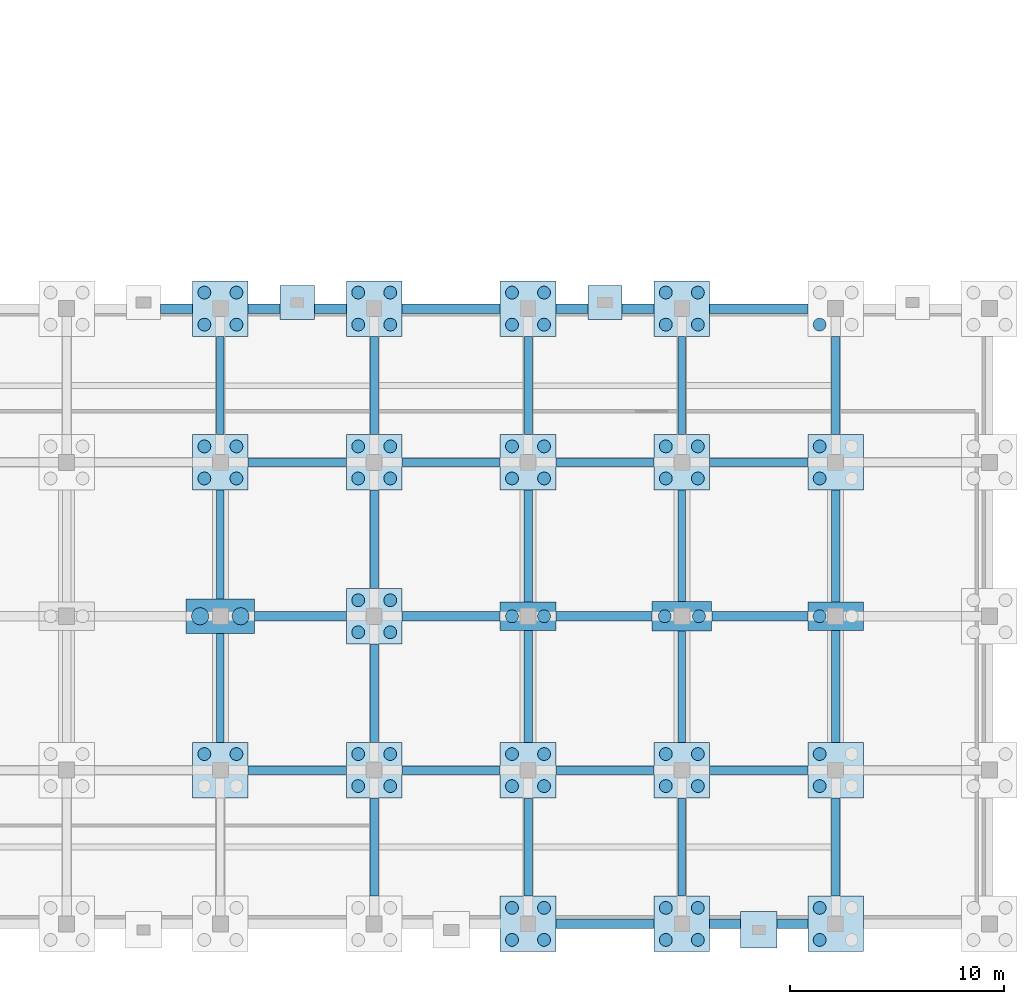
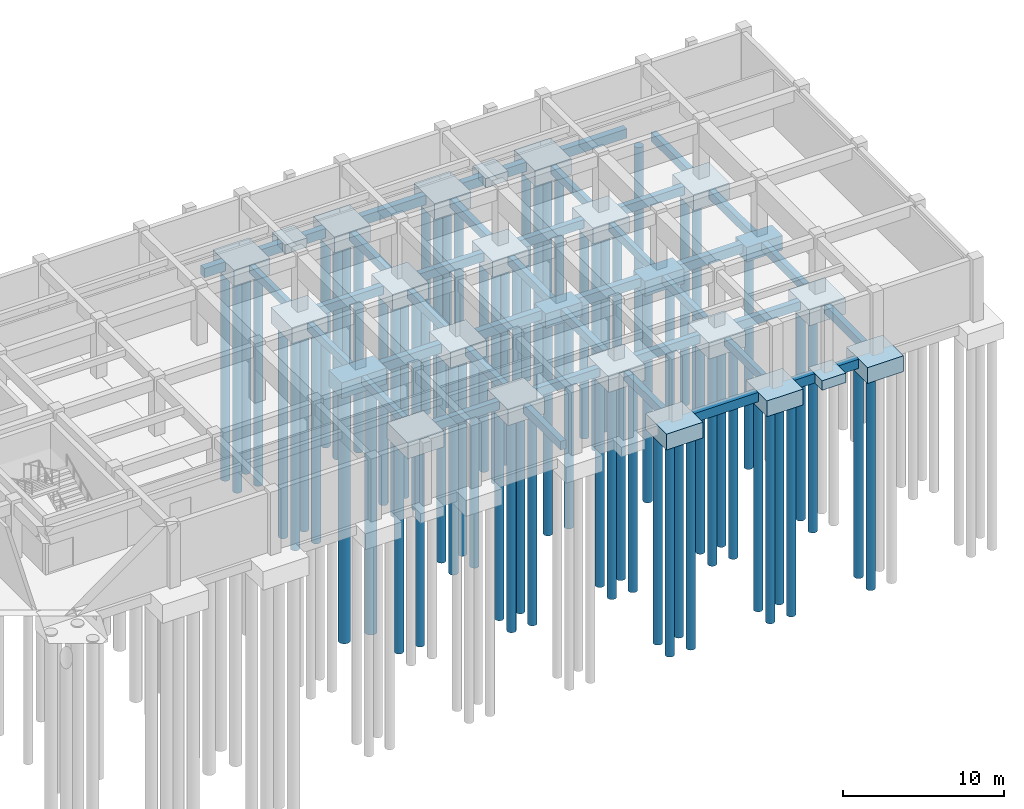
# One storey, part 8 of 28: 72 piles, 66 footings.
"""IFC4 building model written with IfcOpenShell, lengths in metres."""

from ifc_helpers import new_model, si_unit, direction, frame, origin, origin_2d, place, context, subcontext, project, spatial, rectangle, circle, extrude, material, material_profile, profile_set, type_object, element, save


model = new_model("IFC4")

# Units and contexts
model_context = context("Model", 3, precision=1e-05, world=origin(), true_north=direction((0.0, 1.0)))
body_context = subcontext(model_context, "Body", "Model", "MODEL_VIEW")
ifc_project = project(units=[si_unit("LENGTHUNIT", "METRE"), si_unit("AREAUNIT", "SQUARE_METRE"), si_unit("VOLUMEUNIT", "CUBIC_METRE"), si_unit("PLANEANGLEUNIT", "RADIAN"), si_unit("MASSUNIT", "GRAM", prefix="KILO")], contexts=[model_context])

# Site, building, storey
site_placement = place(None, origin())
site = spatial("IfcSite", under=ifc_project, at=site_placement, CompositionType="ELEMENT")
building_placement = place(site_placement, origin())
building = spatial("IfcBuilding", under=site, at=building_placement, Name="Alvorim Cloister Faculty of Sciences", CompositionType="ELEMENT")
storey_placement = place(building_placement, frame((0.0, 0.0, -4.5)))
storey = spatial("IfcBuildingStorey", under=building, at=storey_placement, Name="B01", CompositionType="ELEMENT", Elevation=-4.5)

# Footings
ifc_material_1 = material(Name="Concrete C40", Category="concrete")
footing_type_1 = type_object("IfcFootingType", Name="FT-PAD-1600x1600x700", PredefinedType="PAD_FOOTING", material=ifc_material_1)
for number, where, z_axis, x_axis, name in (
    (1, (133.199951171875, 29.080078125, -0.97998046875), (0.0, 0.0, 1.0), (1.0, 0.0, 0.0), "Buttress Pad Footing FT-0528"),
    (2, (147.60009765625, 29.080078125, -0.97998046875), (0.0, 0.0, 1.0), (1.0, 0.0, 0.0), "Buttress Pad Footing FT-0529"),
):
    element("IfcFooting", number, at=place(storey_placement, frame(where, z_axis=z_axis, x_axis=x_axis)), inside=storey, type_object=footing_type_1, Name=name, PredefinedType="PAD_FOOTING", context=body_context, shape_type="SweptSolid", body=[
        extrude(rectangle(XDim=1.60009765625, YDim=1.60009765625, at=origin_2d()), origin(), (0.0, 0.0, 1.0), 0.699951171875),
    ])
footing_type_2 = type_object("IfcFootingType", Name="FT-PAD-1700x1700x720", PredefinedType="PAD_FOOTING", material=ifc_material_1)
footing_1_placement = place(storey_placement, frame((154.800048828125, -0.280029296875, -1.0), z_axis=(0.0, 0.0, 1.0), x_axis=(1.0, 0.0, 0.0)))
element("IfcFooting", 3, at=footing_1_placement, inside=storey, type_object=footing_type_2, Name="Buttress Pad Footing FT-0524", PredefinedType="PAD_FOOTING", context=body_context, shape_type="SweptSolid", body=[
    extrude(rectangle(XDim=1.699951171875, YDim=1.699951171875, at=origin_2d()), origin(), (0.0, 0.0, 1.0), 0.719970703125),
])
footing_type_3 = type_object("IfcFootingType", Name="FT-PC-2600x1350x1100", PredefinedType="PILE_CAP", material=ifc_material_1)
for number, where, z_axis, x_axis, name in (
    (4, (144.0, 14.39990234375, -1.380126953125), (0.0, 0.0, 1.0), (1.0, 0.0, 0.0), "B01 Pile Cap FT-0182"),
    (5, (158.39990234375, 14.39990234375, -1.380126953125), (0.0, 0.0, 1.0), (1.0, 0.0, 0.0), "B01 Pile Cap FT-0192"),
):
    element("IfcFooting", number, at=place(storey_placement, frame(where, z_axis=z_axis, x_axis=x_axis)), inside=storey, type_object=footing_type_3, Name=name, PredefinedType="PILE_CAP", context=body_context, shape_type="SweptSolid", body=[
        extrude(rectangle(XDim=2.60009765625, YDim=1.35009765625, at=origin_2d()), origin(), (0.0, 0.0, 1.0), 1.10009765625),
    ])
footing_type_4 = type_object("IfcFootingType", Name="FT-PC-2600x2600x1200", PredefinedType="PILE_CAP", material=ifc_material_1)
for number, where, z_axis, x_axis, name in (
    (6, (129.60009765625, 7.199951171875, -1.47998046875), (0.0, 0.0, 1.0), (1.0, 0.0, 0.0), "B01 Pile Cap FT-0171"),
    (7, (129.60009765625, 21.60009765625, -1.47998046875), (0.0, 0.0, 1.0), (1.0, 0.0, 0.0), "B01 Pile Cap FT-0173"),
    (8, (129.60009765625, 28.800048828125, -1.47998046875), (0.0, 0.0, 1.0), (1.0, 0.0, 0.0), "B01 Pile Cap FT-0174"),
    (9, (136.800048828125, 7.199951171875, -1.47998046875), (0.0, 0.0, 1.0), (1.0, 0.0, 0.0), "B01 Pile Cap FT-0176"),
    (10, (136.800048828125, 14.39990234375, -1.47998046875), (0.0, 0.0, 1.0), (1.0, 0.0, 0.0), "B01 Pile Cap FT-0177"),
    (11, (136.800048828125, 21.60009765625, -1.47998046875), (0.0, 0.0, 1.0), (1.0, 0.0, 0.0), "B01 Pile Cap FT-0178"),
    (12, (136.800048828125, 28.800048828125, -1.47998046875), (0.0, 0.0, 1.0), (1.0, 0.0, 0.0), "B01 Pile Cap FT-0179"),
    (13, (144.0, 0.0, -1.47998046875), (0.0, 0.0, 1.0), (1.0, 0.0, 0.0), "B01 Pile Cap FT-0180"),
    (14, (144.0, 7.199951171875, -1.47998046875), (0.0, 0.0, 1.0), (1.0, 0.0, 0.0), "B01 Pile Cap FT-0181"),
    (15, (144.0, 21.60009765625, -1.47998046875), (0.0, 0.0, 1.0), (1.0, 0.0, 0.0), "B01 Pile Cap FT-0183"),
    (16, (144.0, 28.800048828125, -1.47998046875), (0.0, 0.0, 1.0), (1.0, 0.0, 0.0), "B01 Pile Cap FT-0184"),
    (17, (151.199951171875, 0.0, -1.47998046875), (0.0, 0.0, 1.0), (1.0, 0.0, 0.0), "B01 Pile Cap FT-0185"),
    (18, (151.199951171875, 7.199951171875, -1.47998046875), (0.0, 0.0, 1.0), (1.0, 0.0, 0.0), "B01 Pile Cap FT-0186"),
    (19, (151.199951171875, 21.60009765625, -1.47998046875), (0.0, 0.0, 1.0), (1.0, 0.0, 0.0), "B01 Pile Cap FT-0188"),
    (20, (151.199951171875, 28.800048828125, -1.47998046875), (0.0, 0.0, 1.0), (1.0, 0.0, 0.0), "B01 Pile Cap FT-0189"),
    (21, (158.39990234375, 0.0, -1.47998046875), (0.0, 0.0, 1.0), (1.0, 0.0, 0.0), "B01 Pile Cap FT-0190"),
    (22, (158.39990234375, 7.199951171875, -1.47998046875), (0.0, 0.0, 1.0), (1.0, 0.0, 0.0), "B01 Pile Cap FT-0191"),
    (23, (158.39990234375, 21.60009765625, -1.47998046875), (0.0, 0.0, 1.0), (1.0, 0.0, 0.0), "B01 Pile Cap FT-0193"),
):
    element("IfcFooting", number, at=place(storey_placement, frame(where, z_axis=z_axis, x_axis=x_axis)), inside=storey, type_object=footing_type_4, Name=name, PredefinedType="PILE_CAP", context=body_context, shape_type="SweptSolid", body=[
        extrude(rectangle(XDim=2.60009765625, YDim=2.60009765625, at=origin_2d()), origin(), (0.0, 0.0, 1.0), 1.199951171875),
    ])
footing_type_5 = type_object("IfcFootingType", Name="FT-PC-2800x1400x1150", PredefinedType="PILE_CAP", material=ifc_material_1)
footing_2_placement = place(storey_placement, frame((151.199951171875, 14.39990234375, -1.429931640625), z_axis=(0.0, 0.0, 1.0), x_axis=(1.0, 0.0, 0.0)))
element("IfcFooting", 24, at=footing_2_placement, inside=storey, type_object=footing_type_5, Name="B01 Pile Cap FT-0187", PredefinedType="PILE_CAP", context=body_context, shape_type="SweptSolid", body=[
    extrude(rectangle(XDim=2.800048828125, YDim=1.39990234375, at=origin_2d()), origin(), (0.0, 0.0, 1.0), 1.14990234375),
])
footing_type_6 = type_object("IfcFootingType", Name="FT-PC-3200x1600x1200", PredefinedType="PILE_CAP", material=ifc_material_1)
footing_3_placement = place(storey_placement, frame((129.60009765625, 14.39990234375, -1.47998046875), z_axis=(0.0, 0.0, 1.0), x_axis=(1.0, 0.0, 0.0)))
element("IfcFooting", 25, at=footing_3_placement, inside=storey, type_object=footing_type_6, Name="B01 Pile Cap FT-0172", PredefinedType="PILE_CAP", context=body_context, shape_type="SweptSolid", body=[
    extrude(rectangle(XDim=3.199951171875, YDim=1.60009765625, at=origin_2d()), origin(), (0.0, 0.0, 1.0), 1.199951171875),
])
footing_type_7 = type_object("IfcFootingType", Name="FT-TB-350x600", PredefinedType="FOOTING_BEAM", material=ifc_material_1)
for number, where, z_axis, x_axis, name in (
    (26, (129.60009765625, 11.050048828125, -0.880126953125), (0.0, 0.0, 1.0), (1.0, 0.0, 0.0), "Ground Tie Beam FT-0451"),
    (27, (129.60009765625, 17.75, -0.880126953125), (0.0, 0.0, 1.0), (1.0, 0.0, 0.0), "Ground Tie Beam FT-0453"),
):
    element("IfcFooting", number, at=place(storey_placement, frame(where, z_axis=z_axis, x_axis=x_axis)), inside=storey, type_object=footing_type_7, Name=name, PredefinedType="FOOTING_BEAM", context=body_context, shape_type="SweptSolid", body=[
        extrude(rectangle(XDim=0.35009765625, YDim=5.10009765625, at=origin_2d()), origin(), (0.0, 0.0, 1.0), 0.60009765625),
    ])
for number, where, z_axis, x_axis, name in (
    (28, (129.60009765625, 25.199951171875, -0.880126953125), (0.0, 0.0, 1.0), (1.0, 0.0, 0.0), "Ground Tie Beam FT-0455"),
    (29, (151.199951171875, 3.60009765625, -0.880126953125), (0.0, 0.0, 1.0), (1.0, 0.0, 0.0), "Ground Tie Beam FT-0479"),
):
    element("IfcFooting", number, at=place(storey_placement, frame(where, z_axis=z_axis, x_axis=x_axis)), inside=storey, type_object=footing_type_7, Name=name, PredefinedType="FOOTING_BEAM", context=body_context, shape_type="SweptSolid", body=[
        extrude(rectangle(XDim=0.35009765625, YDim=4.60009765625, at=origin_2d()), origin(), (0.0, 0.0, 1.0), 0.60009765625),
    ])
for number, where, z_axis, x_axis, name in (
    (30, (151.199951171875, 11.10009765625, -0.880126953125), (0.0, 0.0, 1.0), (1.0, 0.0, 0.0), "Ground Tie Beam FT-0482"),
    (31, (151.199951171875, 17.699951171875, -0.880126953125), (0.0, 0.0, 1.0), (1.0, 0.0, 0.0), "Ground Tie Beam FT-0484"),
):
    element("IfcFooting", number, at=place(storey_placement, frame(where, z_axis=z_axis, x_axis=x_axis)), inside=storey, type_object=footing_type_7, Name=name, PredefinedType="FOOTING_BEAM", context=body_context, shape_type="SweptSolid", body=[
        extrude(rectangle(XDim=0.35009765625, YDim=5.199951171875, at=origin_2d()), origin(), (0.0, 0.0, 1.0), 0.60009765625),
    ])
footing_4_placement = place(storey_placement, frame((151.199951171875, 25.199951171875, -0.880126953125), z_axis=(0.0, 0.0, 1.0), x_axis=(1.0, 0.0, 0.0)))
element("IfcFooting", 32, at=footing_4_placement, inside=storey, type_object=footing_type_7, Name="Ground Tie Beam FT-0486", PredefinedType="FOOTING_BEAM", context=body_context, shape_type="SweptSolid", body=[
    extrude(rectangle(XDim=0.35009765625, YDim=4.60009765625, at=origin_2d()), origin(), (0.0, 0.0, 1.0), 0.60009765625),
])
footing_type_8 = type_object("IfcFootingType", Name="FT-TB-400x650", PredefinedType="FOOTING_BEAM", material=ifc_material_1)
for number, where, z_axis, x_axis, name in (
    (33, (133.199951171875, 7.199951171875, -0.929931640625), (0.0, 0.0, 1.0), (1.0, 0.0, 0.0), "Ground Tie Beam FT-0452"),
    (34, (133.199951171875, 21.60009765625, -0.929931640625), (0.0, 0.0, 1.0), (1.0, 0.0, 0.0), "Ground Tie Beam FT-0456"),
):
    element("IfcFooting", number, at=place(storey_placement, frame(where, z_axis=z_axis, x_axis=x_axis)), inside=storey, type_object=footing_type_8, Name=name, PredefinedType="FOOTING_BEAM", context=body_context, shape_type="SweptSolid", body=[
        extrude(rectangle(XDim=4.60009765625, YDim=0.39990234375, at=origin_2d()), origin(), (0.0, 0.0, 1.0), 0.64990234375),
    ])
for number, where, z_axis, x_axis, name in (
    (35, (136.800048828125, 3.60009765625, -0.929931640625), (0.0, 0.0, 1.0), (1.0, 0.0, 0.0), "Ground Tie Beam FT-0459"),
    (36, (136.800048828125, 10.800048828125, -0.929931640625), (0.0, 0.0, 1.0), (1.0, 0.0, 0.0), "Ground Tie Beam FT-0462"),
):
    element("IfcFooting", number, at=place(storey_placement, frame(where, z_axis=z_axis, x_axis=x_axis)), inside=storey, type_object=footing_type_8, Name=name, PredefinedType="FOOTING_BEAM", context=body_context, shape_type="SweptSolid", body=[
        extrude(rectangle(XDim=0.39990234375, YDim=4.60009765625, at=origin_2d()), origin(), (0.0, 0.0, 1.0), 0.64990234375),
    ])
footing_5_placement = place(storey_placement, frame((140.39990234375, 7.199951171875, -0.929931640625), z_axis=(0.0, 0.0, 1.0), x_axis=(1.0, 0.0, 0.0)))
element("IfcFooting", 37, at=footing_5_placement, inside=storey, type_object=footing_type_8, Name="Ground Tie Beam FT-0463", PredefinedType="FOOTING_BEAM", context=body_context, shape_type="SweptSolid", body=[
    extrude(rectangle(XDim=4.60009765625, YDim=0.39990234375, at=origin_2d()), origin(), (0.0, 0.0, 1.0), 0.64990234375),
])
for number, where, z_axis, x_axis, name in (
    (38, (136.800048828125, 18.0, -0.929931640625), (0.0, 0.0, 1.0), (1.0, 0.0, 0.0), "Ground Tie Beam FT-0464"),
    (39, (136.800048828125, 25.199951171875, -0.929931640625), (0.0, 0.0, 1.0), (1.0, 0.0, 0.0), "Ground Tie Beam FT-0466"),
):
    element("IfcFooting", number, at=place(storey_placement, frame(where, z_axis=z_axis, x_axis=x_axis)), inside=storey, type_object=footing_type_8, Name=name, PredefinedType="FOOTING_BEAM", context=body_context, shape_type="SweptSolid", body=[
        extrude(rectangle(XDim=0.39990234375, YDim=4.60009765625, at=origin_2d()), origin(), (0.0, 0.0, 1.0), 0.64990234375),
    ])
footing_6_placement = place(storey_placement, frame((140.39990234375, 21.60009765625, -0.929931640625), z_axis=(0.0, 0.0, 1.0), x_axis=(1.0, 0.0, 0.0)))
element("IfcFooting", 40, at=footing_6_placement, inside=storey, type_object=footing_type_8, Name="Ground Tie Beam FT-0467", PredefinedType="FOOTING_BEAM", context=body_context, shape_type="SweptSolid", body=[
    extrude(rectangle(XDim=4.60009765625, YDim=0.39990234375, at=origin_2d()), origin(), (0.0, 0.0, 1.0), 0.64990234375),
])
footing_7_placement = place(storey_placement, frame((144.0, 3.60009765625, -0.929931640625), z_axis=(0.0, 0.0, 1.0), x_axis=(1.0, 0.0, 0.0)))
element("IfcFooting", 41, at=footing_7_placement, inside=storey, type_object=footing_type_8, Name="Ground Tie Beam FT-0469", PredefinedType="FOOTING_BEAM", context=body_context, shape_type="SweptSolid", body=[
    extrude(rectangle(XDim=0.39990234375, YDim=4.60009765625, at=origin_2d()), origin(), (0.0, 0.0, 1.0), 0.64990234375),
])
footing_8_placement = place(storey_placement, frame((144.0, 11.112548828125, -0.929931640625), z_axis=(0.0, 0.0, 1.0), x_axis=(1.0, 0.0, 0.0)))
element("IfcFooting", 42, at=footing_8_placement, inside=storey, type_object=footing_type_8, Name="Ground Tie Beam FT-0471", PredefinedType="FOOTING_BEAM", context=body_context, shape_type="SweptSolid", body=[
    extrude(rectangle(XDim=0.39990234375, YDim=5.22509765625, at=origin_2d()), origin(), (0.0, 0.0, 1.0), 0.64990234375),
])
footing_9_placement = place(storey_placement, frame((147.60009765625, 7.199951171875, -0.929931640625), z_axis=(0.0, 0.0, 1.0), x_axis=(1.0, 0.0, 0.0)))
element("IfcFooting", 43, at=footing_9_placement, inside=storey, type_object=footing_type_8, Name="Ground Tie Beam FT-0472", PredefinedType="FOOTING_BEAM", context=body_context, shape_type="SweptSolid", body=[
    extrude(rectangle(XDim=4.60009765625, YDim=0.39990234375, at=origin_2d()), origin(), (0.0, 0.0, 1.0), 0.64990234375),
])
footing_10_placement = place(storey_placement, frame((144.0, 17.6875, -0.929931640625), z_axis=(0.0, 0.0, 1.0), x_axis=(1.0, 0.0, 0.0)))
element("IfcFooting", 44, at=footing_10_placement, inside=storey, type_object=footing_type_8, Name="Ground Tie Beam FT-0473", PredefinedType="FOOTING_BEAM", context=body_context, shape_type="SweptSolid", body=[
    extrude(rectangle(XDim=0.39990234375, YDim=5.22509765625, at=origin_2d()), origin(), (0.0, 0.0, 1.0), 0.64990234375),
])
footing_11_placement = place(storey_placement, frame((144.0, 25.199951171875, -0.929931640625), z_axis=(0.0, 0.0, 1.0), x_axis=(1.0, 0.0, 0.0)))
element("IfcFooting", 45, at=footing_11_placement, inside=storey, type_object=footing_type_8, Name="Ground Tie Beam FT-0475", PredefinedType="FOOTING_BEAM", context=body_context, shape_type="SweptSolid", body=[
    extrude(rectangle(XDim=0.39990234375, YDim=4.60009765625, at=origin_2d()), origin(), (0.0, 0.0, 1.0), 0.64990234375),
])
for number, where, z_axis, x_axis, name in (
    (46, (147.60009765625, 21.60009765625, -0.929931640625), (0.0, 0.0, 1.0), (1.0, 0.0, 0.0), "Ground Tie Beam FT-0476"),
    (47, (154.800048828125, 7.199951171875, -0.929931640625), (0.0, 0.0, 1.0), (1.0, 0.0, 0.0), "Ground Tie Beam FT-0483"),
    (48, (154.800048828125, 21.60009765625, -0.929931640625), (0.0, 0.0, 1.0), (1.0, 0.0, 0.0), "Ground Tie Beam FT-0487"),
):
    element("IfcFooting", number, at=place(storey_placement, frame(where, z_axis=z_axis, x_axis=x_axis)), inside=storey, type_object=footing_type_8, Name=name, PredefinedType="FOOTING_BEAM", context=body_context, shape_type="SweptSolid", body=[
        extrude(rectangle(XDim=4.60009765625, YDim=0.39990234375, at=origin_2d()), origin(), (0.0, 0.0, 1.0), 0.64990234375),
    ])
footing_12_placement = place(storey_placement, frame((158.39990234375, 3.60009765625, -0.929931640625), z_axis=(0.0, 0.0, 1.0), x_axis=(1.0, 0.0, 0.0)))
element("IfcFooting", 49, at=footing_12_placement, inside=storey, type_object=footing_type_8, Name="Ground Tie Beam FT-0489", PredefinedType="FOOTING_BEAM", context=body_context, shape_type="SweptSolid", body=[
    extrude(rectangle(XDim=0.39990234375, YDim=4.60009765625, at=origin_2d()), origin(), (0.0, 0.0, 1.0), 0.64990234375),
])
for number, where, z_axis, x_axis, name in (
    (50, (158.39990234375, 11.112548828125, -0.929931640625), (0.0, 0.0, 1.0), (1.0, 0.0, 0.0), "Ground Tie Beam FT-0491"),
    (51, (158.39990234375, 17.6875, -0.929931640625), (0.0, 0.0, 1.0), (1.0, 0.0, 0.0), "Ground Tie Beam FT-0493"),
):
    element("IfcFooting", number, at=place(storey_placement, frame(where, z_axis=z_axis, x_axis=x_axis)), inside=storey, type_object=footing_type_8, Name=name, PredefinedType="FOOTING_BEAM", context=body_context, shape_type="SweptSolid", body=[
        extrude(rectangle(XDim=0.39990234375, YDim=5.22509765625, at=origin_2d()), origin(), (0.0, 0.0, 1.0), 0.64990234375),
    ])
footing_13_placement = place(storey_placement, frame((158.39990234375, 25.199951171875, -0.929931640625), z_axis=(0.0, 0.0, 1.0), x_axis=(1.0, 0.0, 0.0)))
element("IfcFooting", 52, at=footing_13_placement, inside=storey, type_object=footing_type_8, Name="Ground Tie Beam FT-0495", PredefinedType="FOOTING_BEAM", context=body_context, shape_type="SweptSolid", body=[
    extrude(rectangle(XDim=0.39990234375, YDim=4.60009765625, at=origin_2d()), origin(), (0.0, 0.0, 1.0), 0.64990234375),
])
footing_type_9 = type_object("IfcFootingType", Name="FT-TB-450x700", PredefinedType="FOOTING_BEAM", material=ifc_material_1)
footing_14_placement = place(storey_placement, frame((127.550048828125, 28.800048828125, -0.97998046875), z_axis=(0.0, 0.0, 1.0), x_axis=(1.0, 0.0, 0.0)))
element("IfcFooting", 53, at=footing_14_placement, inside=storey, type_object=footing_type_9, Name="Ground Tie Beam FT-0448", PredefinedType="FOOTING_BEAM", context=body_context, shape_type="SweptSolid", body=[
    extrude(rectangle(XDim=1.5, YDim=0.449951171875, at=origin_2d()), origin(), (0.0, 0.0, 1.0), 0.699951171875),
])
footing_15_placement = place(storey_placement, frame((133.35009765625, 14.39990234375, -0.97998046875), z_axis=(0.0, 0.0, 1.0), x_axis=(1.0, 0.0, 0.0)))
element("IfcFooting", 54, at=footing_15_placement, inside=storey, type_object=footing_type_9, Name="Ground Tie Beam FT-0454", PredefinedType="FOOTING_BEAM", context=body_context, shape_type="SweptSolid", body=[
    extrude(rectangle(XDim=4.300048828125, YDim=0.449951171875, at=origin_2d()), origin(), (0.0, 0.0, 1.0), 0.699951171875),
])
for number, where, z_axis, x_axis, name in (
    (55, (131.64990234375, 28.800048828125, -0.97998046875), (0.0, 0.0, 1.0), (1.0, 0.0, 0.0), "Ground Tie Beam FT-0457"),
    (56, (134.75, 28.800048828125, -0.97998046875), (0.0, 0.0, 1.0), (1.0, 0.0, 0.0), "Ground Tie Beam FT-0458"),
):
    element("IfcFooting", number, at=place(storey_placement, frame(where, z_axis=z_axis, x_axis=x_axis)), inside=storey, type_object=footing_type_9, Name=name, PredefinedType="FOOTING_BEAM", context=body_context, shape_type="SweptSolid", body=[
        extrude(rectangle(XDim=1.5, YDim=0.449951171875, at=origin_2d()), origin(), (0.0, 0.0, 1.0), 0.699951171875),
    ])
for number, where, z_axis, x_axis, name in (
    (57, (140.39990234375, 14.39990234375, -0.97998046875), (0.0, 0.0, 1.0), (1.0, 0.0, 0.0), "Ground Tie Beam FT-0465"),
    (58, (140.39990234375, 28.800048828125, -0.97998046875), (0.0, 0.0, 1.0), (1.0, 0.0, 0.0), "Ground Tie Beam FT-0468"),
    (59, (147.60009765625, 0.0, -0.97998046875), (0.0, 0.0, 1.0), (1.0, 0.0, 0.0), "Ground Tie Beam FT-0470"),
):
    element("IfcFooting", number, at=place(storey_placement, frame(where, z_axis=z_axis, x_axis=x_axis)), inside=storey, type_object=footing_type_9, Name=name, PredefinedType="FOOTING_BEAM", context=body_context, shape_type="SweptSolid", body=[
        extrude(rectangle(XDim=4.60009765625, YDim=0.449951171875, at=origin_2d()), origin(), (0.0, 0.0, 1.0), 0.699951171875),
    ])
footing_16_placement = place(storey_placement, frame((147.550048828125, 14.39990234375, -0.97998046875), z_axis=(0.0, 0.0, 1.0), x_axis=(1.0, 0.0, 0.0)))
element("IfcFooting", 60, at=footing_16_placement, inside=storey, type_object=footing_type_9, Name="Ground Tie Beam FT-0474", PredefinedType="FOOTING_BEAM", context=body_context, shape_type="SweptSolid", body=[
    extrude(rectangle(XDim=4.5, YDim=0.449951171875, at=origin_2d()), origin(), (0.0, 0.0, 1.0), 0.699951171875),
])
for number, where, z_axis, x_axis, name in (
    (61, (146.050048828125, 28.800048828125, -0.97998046875), (0.0, 0.0, 1.0), (1.0, 0.0, 0.0), "Ground Tie Beam FT-0477"),
    (62, (149.14990234375, 28.800048828125, -0.97998046875), (0.0, 0.0, 1.0), (1.0, 0.0, 0.0), "Ground Tie Beam FT-0478"),
):
    element("IfcFooting", number, at=place(storey_placement, frame(where, z_axis=z_axis, x_axis=x_axis)), inside=storey, type_object=footing_type_9, Name=name, PredefinedType="FOOTING_BEAM", context=body_context, shape_type="SweptSolid", body=[
        extrude(rectangle(XDim=1.5, YDim=0.449951171875, at=origin_2d()), origin(), (0.0, 0.0, 1.0), 0.699951171875),
    ])
for number, where, z_axis, x_axis, name in (
    (63, (153.22509765625, 0.0, -0.97998046875), (0.0, 0.0, 1.0), (1.0, 0.0, 0.0), "Ground Tie Beam FT-0480"),
    (64, (156.375, 0.0, -0.97998046875), (0.0, 0.0, 1.0), (1.0, 0.0, 0.0), "Ground Tie Beam FT-0481"),
):
    element("IfcFooting", number, at=place(storey_placement, frame(where, z_axis=z_axis, x_axis=x_axis)), inside=storey, type_object=footing_type_9, Name=name, PredefinedType="FOOTING_BEAM", context=body_context, shape_type="SweptSolid", body=[
        extrude(rectangle(XDim=1.449951171875, YDim=0.449951171875, at=origin_2d()), origin(), (0.0, 0.0, 1.0), 0.699951171875),
    ])
footing_17_placement = place(storey_placement, frame((154.85009765625, 14.39990234375, -0.97998046875), z_axis=(0.0, 0.0, 1.0), x_axis=(1.0, 0.0, 0.0)))
element("IfcFooting", 65, at=footing_17_placement, inside=storey, type_object=footing_type_9, Name="Ground Tie Beam FT-0485", PredefinedType="FOOTING_BEAM", context=body_context, shape_type="SweptSolid", body=[
    extrude(rectangle(XDim=4.5, YDim=0.449951171875, at=origin_2d()), origin(), (0.0, 0.0, 1.0), 0.699951171875),
])
footing_18_placement = place(storey_placement, frame((154.800048828125, 28.800048828125, -0.97998046875), z_axis=(0.0, 0.0, 1.0), x_axis=(1.0, 0.0, 0.0)))
element("IfcFooting", 66, at=footing_18_placement, inside=storey, type_object=footing_type_9, Name="Ground Tie Beam FT-0488", PredefinedType="FOOTING_BEAM", context=body_context, shape_type="SweptSolid", body=[
    extrude(rectangle(XDim=4.60009765625, YDim=0.449951171875, at=origin_2d()), origin(), (0.0, 0.0, 1.0), 0.699951171875),
])

# Piles
ifc_material_2 = material(Name="Concrete C30", Category="concrete")
ifc_material_profile_1 = material_profile(ifc_material_2, circle(Radius=0.300048828125, at=origin_2d()), Name="PILE-D600")
ifc_profile_set_1 = profile_set([ifc_material_profile_1], Name="Concrete C30")
pile_type_1 = type_object("IfcPileType", Name="PL-BORED-D600", PredefinedType="BORED", material=ifc_profile_set_1)
for number, where, z_axis, x_axis, name in (
    (67, (128.85009765625, 7.949951171875, -1.3798828125), (0.0, 0.0, -1.0), (1.0, 0.0, 0.0), "Bored Pile PL-0647"),
    (68, (130.35009765625, 7.949951171875, -1.3798828125), (0.0, 0.0, -1.0), (1.0, 0.0, 0.0), "Bored Pile PL-0648"),
    (69, (128.85009765625, 20.85009765625, -1.3798828125), (0.0, 0.0, -1.0), (1.0, 0.0, 0.0), "Bored Pile PL-0651"),
    (70, (130.35009765625, 20.85009765625, -1.3798828125), (0.0, 0.0, -1.0), (1.0, 0.0, 0.0), "Bored Pile PL-0652"),
    (71, (128.85009765625, 22.35009765625, -1.3798828125), (0.0, 0.0, -1.0), (1.0, 0.0, 0.0), "Bored Pile PL-0653"),
    (72, (130.35009765625, 22.35009765625, -1.3798828125), (0.0, 0.0, -1.0), (1.0, 0.0, 0.0), "Bored Pile PL-0654"),
    (73, (128.85009765625, 28.050048828125, -1.3798828125), (0.0, 0.0, -1.0), (1.0, 0.0, 0.0), "Bored Pile PL-0655"),
    (74, (130.35009765625, 28.050048828125, -1.3798828125), (0.0, 0.0, -1.0), (1.0, 0.0, 0.0), "Bored Pile PL-0656"),
    (75, (128.85009765625, 29.550048828125, -1.3798828125), (0.0, 0.0, -1.0), (1.0, 0.0, 0.0), "Bored Pile PL-0657"),
    (76, (130.35009765625, 29.550048828125, -1.3798828125), (0.0, 0.0, -1.0), (1.0, 0.0, 0.0), "Bored Pile PL-0658"),
    (77, (136.050048828125, 6.449951171875, -1.3798828125), (0.0, 0.0, -1.0), (1.0, 0.0, 0.0), "Bored Pile PL-0663"),
    (78, (137.550048828125, 6.449951171875, -1.3798828125), (0.0, 0.0, -1.0), (1.0, 0.0, 0.0), "Bored Pile PL-0664"),
    (79, (136.050048828125, 7.949951171875, -1.3798828125), (0.0, 0.0, -1.0), (1.0, 0.0, 0.0), "Bored Pile PL-0665"),
    (80, (137.550048828125, 7.949951171875, -1.3798828125), (0.0, 0.0, -1.0), (1.0, 0.0, 0.0), "Bored Pile PL-0666"),
    (81, (136.050048828125, 13.64990234375, -1.3798828125), (0.0, 0.0, -1.0), (1.0, 0.0, 0.0), "Bored Pile PL-0667"),
    (82, (137.550048828125, 13.64990234375, -1.3798828125), (0.0, 0.0, -1.0), (1.0, 0.0, 0.0), "Bored Pile PL-0668"),
    (83, (136.050048828125, 15.14990234375, -1.3798828125), (0.0, 0.0, -1.0), (1.0, 0.0, 0.0), "Bored Pile PL-0669"),
    (84, (137.550048828125, 15.14990234375, -1.3798828125), (0.0, 0.0, -1.0), (1.0, 0.0, 0.0), "Bored Pile PL-0670"),
    (85, (136.050048828125, 20.85009765625, -1.3798828125), (0.0, 0.0, -1.0), (1.0, 0.0, 0.0), "Bored Pile PL-0671"),
    (86, (137.550048828125, 20.85009765625, -1.3798828125), (0.0, 0.0, -1.0), (1.0, 0.0, 0.0), "Bored Pile PL-0672"),
    (87, (136.050048828125, 22.35009765625, -1.3798828125), (0.0, 0.0, -1.0), (1.0, 0.0, 0.0), "Bored Pile PL-0673"),
    (88, (137.550048828125, 22.35009765625, -1.3798828125), (0.0, 0.0, -1.0), (1.0, 0.0, 0.0), "Bored Pile PL-0674"),
    (89, (136.050048828125, 28.050048828125, -1.3798828125), (0.0, 0.0, -1.0), (1.0, 0.0, 0.0), "Bored Pile PL-0675"),
    (90, (137.550048828125, 28.050048828125, -1.3798828125), (0.0, 0.0, -1.0), (1.0, 0.0, 0.0), "Bored Pile PL-0676"),
    (91, (136.050048828125, 29.550048828125, -1.3798828125), (0.0, 0.0, -1.0), (1.0, 0.0, 0.0), "Bored Pile PL-0677"),
    (92, (137.550048828125, 29.550048828125, -1.3798828125), (0.0, 0.0, -1.0), (1.0, 0.0, 0.0), "Bored Pile PL-0678"),
    (93, (143.25, -0.75, -1.3798828125), (0.0, 0.0, -1.0), (1.0, 0.0, 0.0), "Bored Pile PL-0679"),
    (94, (144.75, -0.75, -1.3798828125), (0.0, 0.0, -1.0), (1.0, 0.0, 0.0), "Bored Pile PL-0680"),
    (95, (143.25, 0.75, -1.3798828125), (0.0, 0.0, -1.0), (1.0, 0.0, 0.0), "Bored Pile PL-0681"),
    (96, (144.75, 0.75, -1.3798828125), (0.0, 0.0, -1.0), (1.0, 0.0, 0.0), "Bored Pile PL-0682"),
    (97, (143.25, 6.449951171875, -1.3798828125), (0.0, 0.0, -1.0), (1.0, 0.0, 0.0), "Bored Pile PL-0683"),
    (98, (144.75, 6.449951171875, -1.3798828125), (0.0, 0.0, -1.0), (1.0, 0.0, 0.0), "Bored Pile PL-0684"),
    (99, (143.25, 7.949951171875, -1.3798828125), (0.0, 0.0, -1.0), (1.0, 0.0, 0.0), "Bored Pile PL-0685"),
    (100, (144.75, 7.949951171875, -1.3798828125), (0.0, 0.0, -1.0), (1.0, 0.0, 0.0), "Bored Pile PL-0686"),
):
    element("IfcPile", number, at=place(storey_placement, frame(where, z_axis=z_axis, x_axis=x_axis)), inside=storey, type_object=pile_type_1, Name=name, PredefinedType="BORED", context=body_context, shape_type="SweptSolid", body=[
        extrude(circle(Radius=0.300048828125, at=origin_2d()), origin(), (0.0, 0.0, 1.0), 16.1201171875),
    ])
for number, where, z_axis, x_axis, name in (
    (101, (143.25, 14.39990234375, -1.280029296875), (0.0, 0.0, -1.0), (1.0, 0.0, 0.0), "Bored Pile PL-0687"),
    (102, (144.75, 14.39990234375, -1.280029296875), (0.0, 0.0, -1.0), (1.0, 0.0, 0.0), "Bored Pile PL-0688"),
):
    element("IfcPile", number, at=place(storey_placement, frame(where, z_axis=z_axis, x_axis=x_axis)), inside=storey, type_object=pile_type_1, Name=name, PredefinedType="BORED", context=body_context, shape_type="SweptSolid", body=[
        extrude(circle(Radius=0.300048828125, at=origin_2d()), origin(), (0.0, 0.0, 1.0), 16.219970703125),
    ])
for number, where, z_axis, x_axis, name in (
    (103, (143.25, 20.85009765625, -1.3798828125), (0.0, 0.0, -1.0), (1.0, 0.0, 0.0), "Bored Pile PL-0689"),
    (104, (144.75, 20.85009765625, -1.3798828125), (0.0, 0.0, -1.0), (1.0, 0.0, 0.0), "Bored Pile PL-0690"),
    (105, (143.25, 22.35009765625, -1.3798828125), (0.0, 0.0, -1.0), (1.0, 0.0, 0.0), "Bored Pile PL-0691"),
    (106, (144.75, 22.35009765625, -1.3798828125), (0.0, 0.0, -1.0), (1.0, 0.0, 0.0), "Bored Pile PL-0692"),
    (107, (143.25, 28.050048828125, -1.3798828125), (0.0, 0.0, -1.0), (1.0, 0.0, 0.0), "Bored Pile PL-0693"),
    (108, (144.75, 28.050048828125, -1.3798828125), (0.0, 0.0, -1.0), (1.0, 0.0, 0.0), "Bored Pile PL-0694"),
    (109, (143.25, 29.550048828125, -1.3798828125), (0.0, 0.0, -1.0), (1.0, 0.0, 0.0), "Bored Pile PL-0695"),
    (110, (144.75, 29.550048828125, -1.3798828125), (0.0, 0.0, -1.0), (1.0, 0.0, 0.0), "Bored Pile PL-0696"),
    (111, (150.449951171875, -0.75, -1.3798828125), (0.0, 0.0, -1.0), (1.0, 0.0, 0.0), "Bored Pile PL-0697"),
    (112, (151.949951171875, -0.75, -1.3798828125), (0.0, 0.0, -1.0), (1.0, 0.0, 0.0), "Bored Pile PL-0698"),
    (113, (150.449951171875, 0.75, -1.3798828125), (0.0, 0.0, -1.0), (1.0, 0.0, 0.0), "Bored Pile PL-0699"),
    (114, (151.949951171875, 0.75, -1.3798828125), (0.0, 0.0, -1.0), (1.0, 0.0, 0.0), "Bored Pile PL-0700"),
    (115, (150.449951171875, 6.449951171875, -1.3798828125), (0.0, 0.0, -1.0), (1.0, 0.0, 0.0), "Bored Pile PL-0701"),
    (116, (151.949951171875, 6.449951171875, -1.3798828125), (0.0, 0.0, -1.0), (1.0, 0.0, 0.0), "Bored Pile PL-0702"),
    (117, (150.449951171875, 7.949951171875, -1.3798828125), (0.0, 0.0, -1.0), (1.0, 0.0, 0.0), "Bored Pile PL-0703"),
    (118, (151.949951171875, 7.949951171875, -1.3798828125), (0.0, 0.0, -1.0), (1.0, 0.0, 0.0), "Bored Pile PL-0704"),
):
    element("IfcPile", number, at=place(storey_placement, frame(where, z_axis=z_axis, x_axis=x_axis)), inside=storey, type_object=pile_type_1, Name=name, PredefinedType="BORED", context=body_context, shape_type="SweptSolid", body=[
        extrude(circle(Radius=0.300048828125, at=origin_2d()), origin(), (0.0, 0.0, 1.0), 16.1201171875),
    ])
for number, where, z_axis, x_axis, name in (
    (119, (150.39990234375, 14.39990234375, -1.330078125), (0.0, 0.0, -1.0), (1.0, 0.0, 0.0), "Bored Pile PL-0705"),
    (120, (152.0, 14.39990234375, -1.330078125), (0.0, 0.0, -1.0), (1.0, 0.0, 0.0), "Bored Pile PL-0706"),
):
    element("IfcPile", number, at=place(storey_placement, frame(where, z_axis=z_axis, x_axis=x_axis)), inside=storey, type_object=pile_type_1, Name=name, PredefinedType="BORED", context=body_context, shape_type="SweptSolid", body=[
        extrude(circle(Radius=0.300048828125, at=origin_2d()), origin(), (0.0, 0.0, 1.0), 16.169921875),
    ])
for number, where, z_axis, x_axis, name in (
    (121, (150.449951171875, 20.85009765625, -1.3798828125), (0.0, 0.0, -1.0), (1.0, 0.0, 0.0), "Bored Pile PL-0707"),
    (122, (151.949951171875, 20.85009765625, -1.3798828125), (0.0, 0.0, -1.0), (1.0, 0.0, 0.0), "Bored Pile PL-0708"),
    (123, (150.449951171875, 22.35009765625, -1.3798828125), (0.0, 0.0, -1.0), (1.0, 0.0, 0.0), "Bored Pile PL-0709"),
    (124, (151.949951171875, 22.35009765625, -1.3798828125), (0.0, 0.0, -1.0), (1.0, 0.0, 0.0), "Bored Pile PL-0710"),
    (125, (150.449951171875, 28.050048828125, -1.3798828125), (0.0, 0.0, -1.0), (1.0, 0.0, 0.0), "Bored Pile PL-0711"),
    (126, (151.949951171875, 28.050048828125, -1.3798828125), (0.0, 0.0, -1.0), (1.0, 0.0, 0.0), "Bored Pile PL-0712"),
    (127, (150.449951171875, 29.550048828125, -1.3798828125), (0.0, 0.0, -1.0), (1.0, 0.0, 0.0), "Bored Pile PL-0713"),
    (128, (151.949951171875, 29.550048828125, -1.3798828125), (0.0, 0.0, -1.0), (1.0, 0.0, 0.0), "Bored Pile PL-0714"),
    (129, (157.64990234375, -0.75, -1.3798828125), (0.0, 0.0, -1.0), (1.0, 0.0, 0.0), "Bored Pile PL-0715"),
    (130, (157.64990234375, 0.75, -1.3798828125), (0.0, 0.0, -1.0), (1.0, 0.0, 0.0), "Bored Pile PL-0717"),
    (131, (157.64990234375, 6.449951171875, -1.3798828125), (0.0, 0.0, -1.0), (1.0, 0.0, 0.0), "Bored Pile PL-0719"),
    (132, (157.64990234375, 7.949951171875, -1.3798828125), (0.0, 0.0, -1.0), (1.0, 0.0, 0.0), "Bored Pile PL-0721"),
):
    element("IfcPile", number, at=place(storey_placement, frame(where, z_axis=z_axis, x_axis=x_axis)), inside=storey, type_object=pile_type_1, Name=name, PredefinedType="BORED", context=body_context, shape_type="SweptSolid", body=[
        extrude(circle(Radius=0.300048828125, at=origin_2d()), origin(), (0.0, 0.0, 1.0), 16.1201171875),
    ])
pile_placement = place(storey_placement, frame((157.64990234375, 14.39990234375, -1.280029296875), z_axis=(0.0, 0.0, -1.0), x_axis=(1.0, 0.0, 0.0)))
element("IfcPile", 133, at=pile_placement, inside=storey, type_object=pile_type_1, Name="Bored Pile PL-0723", PredefinedType="BORED", context=body_context, shape_type="SweptSolid", body=[
    extrude(circle(Radius=0.300048828125, at=origin_2d()), origin(), (0.0, 0.0, 1.0), 16.219970703125),
])
for number, where, z_axis, x_axis, name in (
    (134, (157.64990234375, 20.85009765625, -1.3798828125), (0.0, 0.0, -1.0), (1.0, 0.0, 0.0), "Bored Pile PL-0725"),
    (135, (157.64990234375, 22.35009765625, -1.3798828125), (0.0, 0.0, -1.0), (1.0, 0.0, 0.0), "Bored Pile PL-0727"),
    (136, (157.64990234375, 28.050048828125, -1.3798828125), (0.0, 0.0, -1.0), (1.0, 0.0, 0.0), "Bored Pile PL-0729"),
):
    element("IfcPile", number, at=place(storey_placement, frame(where, z_axis=z_axis, x_axis=x_axis)), inside=storey, type_object=pile_type_1, Name=name, PredefinedType="BORED", context=body_context, shape_type="SweptSolid", body=[
        extrude(circle(Radius=0.300048828125, at=origin_2d()), origin(), (0.0, 0.0, 1.0), 16.1201171875),
    ])
ifc_material_profile_2 = material_profile(ifc_material_2, circle(Radius=0.39990234375, at=origin_2d()), Name="PILE-D800")
ifc_profile_set_2 = profile_set([ifc_material_profile_2], Name="Concrete C30")
pile_type_2 = type_object("IfcPileType", Name="PL-BORED-D800", PredefinedType="BORED", material=ifc_profile_set_2)
for number, where, z_axis, x_axis, name in (
    (137, (128.64990234375, 14.39990234375, -1.3798828125), (0.0, 0.0, -1.0), (1.0, 0.0, 0.0), "Bored Pile PL-0649"),
    (138, (130.550048828125, 14.39990234375, -1.3798828125), (0.0, 0.0, -1.0), (1.0, 0.0, 0.0), "Bored Pile PL-0650"),
):
    element("IfcPile", number, at=place(storey_placement, frame(where, z_axis=z_axis, x_axis=x_axis)), inside=storey, type_object=pile_type_2, Name=name, PredefinedType="BORED", context=body_context, shape_type="SweptSolid", body=[
        extrude(circle(Radius=0.39990234375, at=origin_2d()), origin(), (0.0, 0.0, 1.0), 19.1201171875),
    ])

save(model, "model.ifc")
